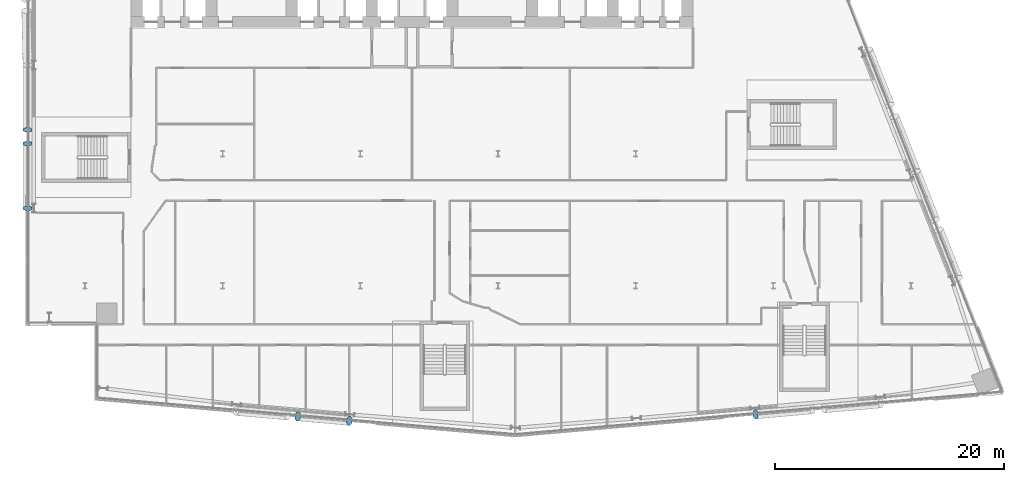
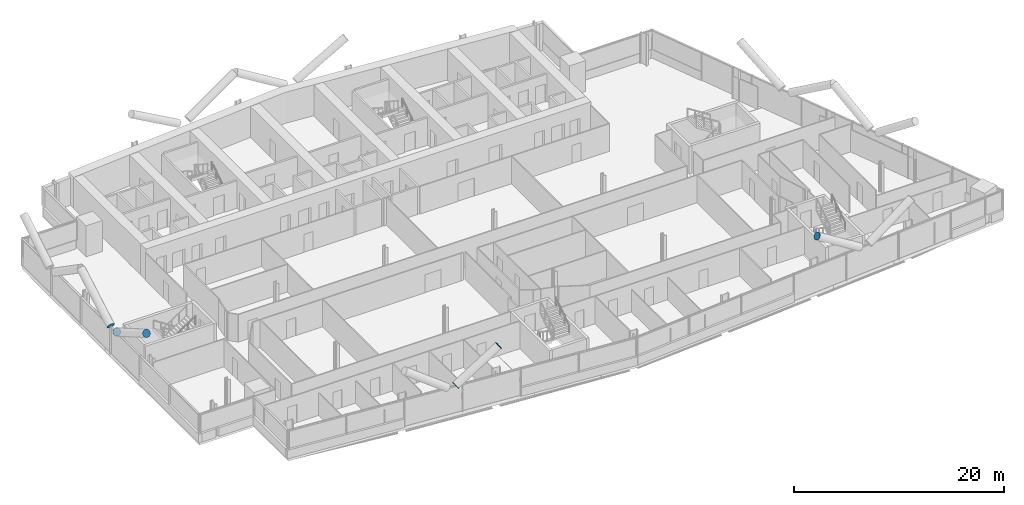
# One storey, part 22 of 28: 6 discrete accessories.
"""IFC4 building model written with IfcOpenShell, lengths in metres."""

from ifc_helpers import new_model, si_unit, direction, frame, origin, origin_2d, place, context, subcontext, project, spatial, circle, extrude, material, material_profile, profile_set, type_object, element, save


model = new_model("IFC4")

# Units and contexts
model_context = context("Model", 3, precision=1e-05, world=origin(), true_north=direction((0.0, 1.0)))
body_context = subcontext(model_context, "Body", "Model", "MODEL_VIEW")
ifc_project = project(units=[si_unit("LENGTHUNIT", "METRE"), si_unit("AREAUNIT", "SQUARE_METRE"), si_unit("VOLUMEUNIT", "CUBIC_METRE"), si_unit("PLANEANGLEUNIT", "RADIAN"), si_unit("MASSUNIT", "GRAM", prefix="KILO")], contexts=[model_context])

# Site, building, storey
site_placement = place(None, origin())
site = spatial("IfcSite", under=ifc_project, at=site_placement, CompositionType="ELEMENT")
building_placement = place(site_placement, origin())
building = spatial("IfcBuilding", under=site, at=building_placement, Name="Wharfspan Tower", CompositionType="ELEMENT")
storey_placement = place(building_placement, frame((0.0, 0.0, 132.699951)))
storey = spatial("IfcBuildingStorey", under=building, at=storey_placement, Name="L31", CompositionType="ELEMENT", Elevation=132.699951)

# Discrete accessories
ifc_material = material(Name="Steel S460NH", Category="steel")
ifc_material_profile = material_profile(ifc_material, circle(Radius=0.406494, at=origin_2d()))
ifc_profile_set = profile_set([ifc_material_profile], Name="Steel S460NH")
discrete_accessory_type = type_object("IfcDiscreteAccessoryType", Name="End plate CHS 813x40", PredefinedType="BRACKET", material=ifc_profile_set)
discrete_accessory_1_placement = place(storey_placement, frame((30.543457, 0.125244, 3.220947), z_axis=(0.795008, -0.072273, 0.602279), x_axis=(0.090536, 0.995894, -1e-06)))
element("IfcDiscreteAccessory", 1, at=discrete_accessory_1_placement, inside=storey, type_object=discrete_accessory_type, Name="End plate CHS 813x40", PredefinedType="BRACKET", context=body_context, shape_type="SweptSolid", body=[
    extrude(circle(Radius=0.406494, at=origin_2d()), origin(), (0.0, 0.0, 1.0), 0.010254),
])
for number, where, z_axis, x_axis, name in (
    (2, (35.040771, -0.268311, 6.5), (0.806559, -0.073324, 0.586588), (0.090536, 0.99589, 0.0), "End plate CHS 813x40"),
    (3, (70.452393, 0.299805, 6.5), (-0.82608, -0.072889, 0.558819), (0.087894, -0.99613, 1e-06), "End plate CHS 813x40"),
):
    element("IfcDiscreteAccessory", number, at=place(storey_placement, frame(where, z_axis=z_axis, x_axis=x_axis)), inside=storey, type_object=discrete_accessory_type, Name=name, PredefinedType="BRACKET", context=body_context, shape_type="SweptSolid", body=[
        extrude(circle(Radius=0.406494, at=origin_2d()), origin(), (0.0, 0.0, 1.0), 0.01001),
    ])
discrete_accessory_2_placement = place(storey_placement, frame((6.985107, 23.902588, 3.245117), z_axis=(0.0, -0.868243, 0.496139), x_axis=(1.0, 0.0, 0.0)))
element("IfcDiscreteAccessory", 4, at=discrete_accessory_2_placement, inside=storey, type_object=discrete_accessory_type, Name="End plate CHS 813x40", PredefinedType="BRACKET", context=body_context, shape_type="SweptSolid", body=[
    extrude(circle(Radius=0.406494, at=origin_2d()), origin(), (0.0, 0.0, 1.0), 0.009766),
])
discrete_accessory_3_placement = place(storey_placement, frame((6.985107, 18.266602, 6.5), z_axis=(0.0, -0.857493, 0.514496), x_axis=(1.0, 0.0, 0.0)))
element("IfcDiscreteAccessory", 5, at=discrete_accessory_3_placement, inside=storey, type_object=discrete_accessory_type, Name="End plate CHS 813x40", PredefinedType="BRACKET", context=body_context, shape_type="SweptSolid", body=[
    extrude(circle(Radius=0.406494, at=origin_2d()), origin(), (0.0, 0.0, 1.0), 0.01001),
])
discrete_accessory_4_placement = place(storey_placement, frame((6.985107, 25.097412, 3.245117), z_axis=(0.0, 0.868243, 0.496139), x_axis=(-1.0, 0.0, 0.0)))
element("IfcDiscreteAccessory", 6, at=discrete_accessory_4_placement, inside=storey, type_object=discrete_accessory_type, Name="End plate CHS 813x40", PredefinedType="BRACKET", context=body_context, shape_type="SweptSolid", body=[
    extrude(circle(Radius=0.406494, at=origin_2d()), origin(), (0.0, 0.0, 1.0), 0.009766),
])

save(model, "model.ifc")
